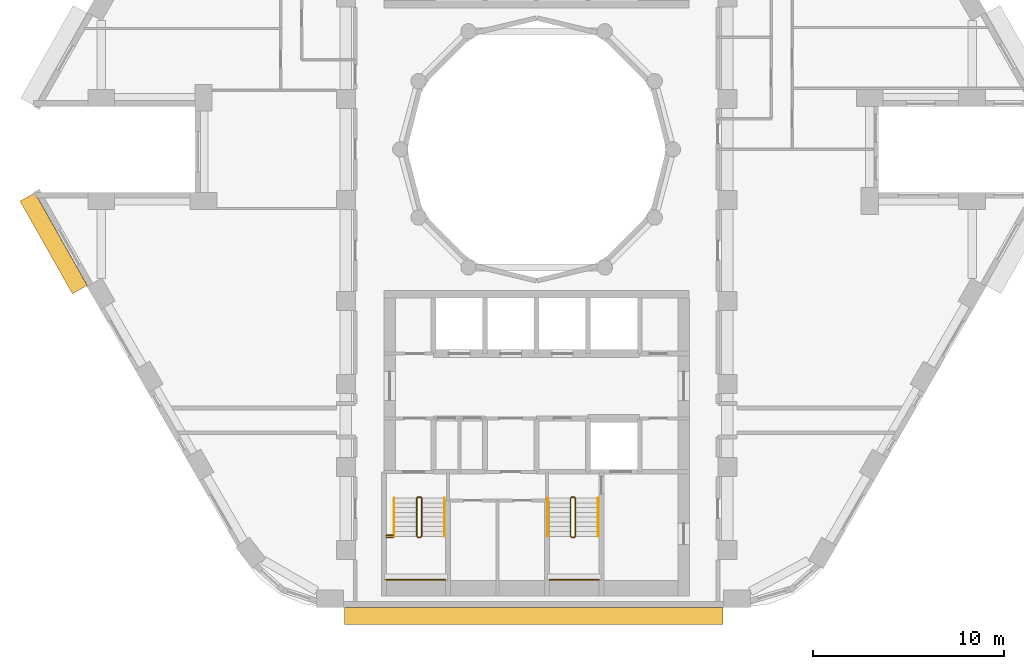
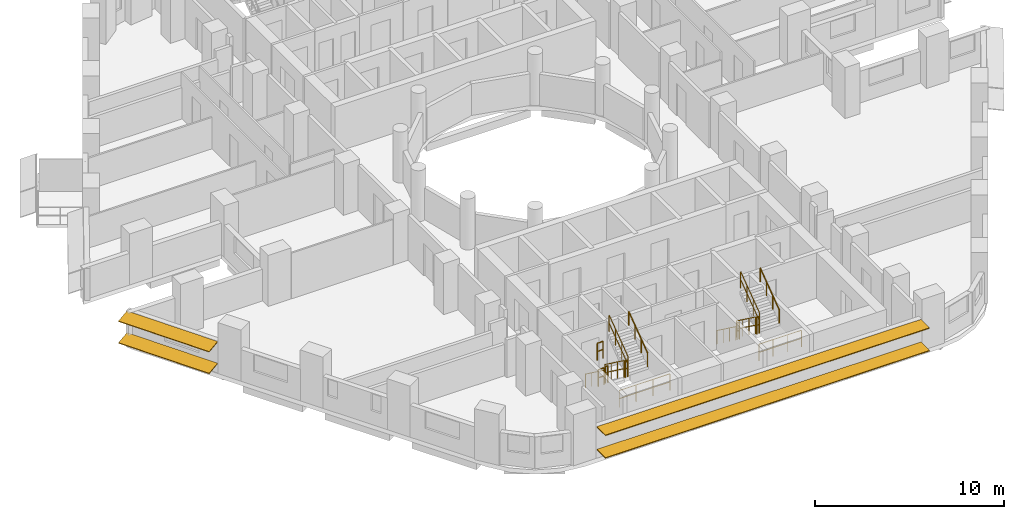
# One storey, part 12 of 14: 16 railings, 4 shading devices.
"""IFC4 building model written with IfcOpenShell, lengths in metres."""

from ifc_helpers import new_model, si_unit, direction, frame, origin, origin_2d, place, context, subcontext, project, spatial, rectangle, circle, extrude, material, material_profile, profile_set, type_object, element, save


model = new_model("IFC4")

# Units and contexts
model_context = context("Model", 3, precision=1e-05, world=origin(), true_north=direction((0.0, 1.0)))
body_context = subcontext(model_context, "Body", "Model", "MODEL_VIEW")
ifc_project = project(units=[si_unit("LENGTHUNIT", "METRE"), si_unit("AREAUNIT", "SQUARE_METRE"), si_unit("VOLUMEUNIT", "CUBIC_METRE"), si_unit("PLANEANGLEUNIT", "RADIAN"), si_unit("MASSUNIT", "GRAM", prefix="KILO")], contexts=[model_context])

# Site, building, storey
site_placement = place(None, origin())
site = spatial("IfcSite", under=ifc_project, at=site_placement, CompositionType="ELEMENT")
building_placement = place(site_placement, origin())
building = spatial("IfcBuilding", under=site, at=building_placement, Name="Nakaniwa Court", CompositionType="ELEMENT")
storey_placement = place(building_placement, frame((0.0, 0.0, 117.300048828125)))
storey = spatial("IfcBuildingStorey", under=building, at=storey_placement, Name="L31", CompositionType="ELEMENT", Elevation=117.300048828125)

# Shading devices
ifc_material_1 = material(Name="Perforated charcoal ceramic louvre blade")
ifc_material_profile = material_profile(ifc_material_1, rectangle(XDim=0.89990234375, YDim=0.050048828125, at=origin_2d()), Name="Perforated ceramic louvre blade")
ifc_profile_set = profile_set([ifc_material_profile], Name="Perforated charcoal ceramic louvre blade")
shading_device_type = type_object("IfcShadingDeviceType", Name="Perforated ceramic louvre blade", PredefinedType="JALOUSIE", material=ifc_profile_set)
for number, where, z_axis, x_axis, name in (
    (1, (53.31689453125, 77.508056640625, 0.550048828125), (0.492438058427, -0.870347493024, 0.0), (0.862701960504, 0.488112256124, 0.132256390257), "L31 perforated ceramic louvre blade w20 1"),
    (2, (53.31689453125, 77.508056640625, 1.95556640625), (0.492438058427, -0.870347493024, 0.0), (0.862701960504, 0.488112256124, 0.132256390257), "L31 perforated ceramic louvre blade w20 2"),
):
    element("IfcShadingDevice", number, at=place(storey_placement, frame(where, z_axis=z_axis, x_axis=x_axis)), inside=storey, type_object=shading_device_type, Name=name, PredefinedType="JALOUSIE", context=body_context, shape_type="SweptSolid", body=[
        extrude(rectangle(XDim=0.89990234375, YDim=0.050048828125, at=origin_2d()), origin(), (0.0, 0.0, 1.0), 5.576416015625),
    ])
for number, where, z_axis, x_axis, name in (
    (3, (69.92138671875, 55.550048828125, 0.550048828125), (1.0, 0.0, 0.0), (0.0, 1.0, 0.0), "L31 perforated ceramic louvre blade w26 1"),
    (4, (69.92138671875, 55.550048828125, 2.014892578125), (1.0, 0.0, 0.0), (0.0, 1.0, 0.0), "L31 perforated ceramic louvre blade w26 2"),
):
    element("IfcShadingDevice", number, at=place(storey_placement, frame(where, z_axis=z_axis, x_axis=x_axis)), inside=storey, type_object=shading_device_type, Name=name, PredefinedType="JALOUSIE", context=body_context, shape_type="SweptSolid", body=[
        extrude(rectangle(XDim=0.89990234375, YDim=0.050048828125, at=origin_2d()), origin(), (0.0, 0.0, 1.0), 19.839599609375),
    ])

# Railings
ifc_material_2 = material(Name="Black powder coated steel guard", Category="steel")
railing_type_1 = type_object("IfcRailingType", Name="Stair guard 1100", PredefinedType="GUARDRAIL", material=ifc_material_2)
railing_1_placement = place(storey_placement, frame((73.72509765625, 61.72509765625, 0.183349609375)))
element("IfcRailing", 5, at=railing_1_placement, inside=storey, type_object=railing_type_1, Name="L31 ST3 stair guard 1", PredefinedType="GUARDRAIL", context=body_context, shape_type="SweptSolid", body=[
    extrude(circle(Radius=0.02392578125, at=origin_2d()), frame((0.0, 0.0, 1.076171875), z_axis=(0.0, -0.806426902644, 0.591333789573), x_axis=(1.0, 0.0, 0.0)), (0.0, 0.0, 1.0), 2.47998046875),
    extrude(circle(Radius=0.02392578125, at=origin_2d()), frame((0.0, 0.0, 0.550048828125), z_axis=(0.0, -0.806426902644, 0.591333789573), x_axis=(1.0, 0.0, 0.0)), (0.0, 0.0, 1.0), 2.47998046875),
    extrude(circle(Radius=0.02099609375, at=origin_2d()), origin(), (0.0, 0.0, 1.0), 1.052001953125),
    extrude(circle(Radius=0.02099609375, at=origin_2d()), frame((0.0, -0.666748046875, 0.48876953125)), (0.0, 0.0, 1.0), 1.052001953125),
    extrude(circle(Radius=0.02099609375, at=origin_2d()), frame((0.0, -1.333251953125, 0.977783203125)), (0.0, 0.0, 1.0), 1.052001953125),
    extrude(circle(Radius=0.02099609375, at=origin_2d()), frame((0.0, -2.0, 1.466552734375)), (0.0, 0.0, 1.0), 1.052001953125),
])
railing_2_placement = place(storey_placement, frame((73.77490234375, 59.675048828125, 1.64990234375)))
element("IfcRailing", 6, at=railing_2_placement, inside=storey, type_object=railing_type_1, Name="L31 ST3 stair guard 2", PredefinedType="GUARDRAIL", context=body_context, shape_type="SweptSolid", body=[
    extrude(circle(Radius=0.02392578125, at=origin_2d()), frame((0.0, 0.0, 1.076171875), z_axis=(1.0, 0.0, 0.0), x_axis=(0.0, 1.0, 0.0)), (0.0, 0.0, 1.0), 0.150146484375),
    extrude(circle(Radius=0.02392578125, at=origin_2d()), frame((0.0, 0.0, 0.550048828125), z_axis=(1.0, 0.0, 0.0), x_axis=(0.0, 1.0, 0.0)), (0.0, 0.0, 1.0), 0.150146484375),
    extrude(circle(Radius=0.02099609375, at=origin_2d()), origin(), (0.0, 0.0, 1.0), 1.052001953125),
    extrude(circle(Radius=0.02099609375, at=origin_2d()), frame((0.150146484375, 0.0, 0.0)), (0.0, 0.0, 1.0), 1.052001953125),
])
railing_3_placement = place(storey_placement, frame((73.97509765625, 59.72509765625, 1.833251953125)))
element("IfcRailing", 7, at=railing_3_placement, inside=storey, type_object=railing_type_1, Name="L31 ST3 stair guard 3", PredefinedType="GUARDRAIL", context=body_context, shape_type="SweptSolid", body=[
    extrude(circle(Radius=0.02392578125, at=origin_2d()), frame((0.0, 0.0, 1.076171875), z_axis=(0.0, 0.806379959628, 0.591397802423), x_axis=(-1.0, 0.0, 0.0)), (0.0, 0.0, 1.0), 2.480224609375),
    extrude(circle(Radius=0.02392578125, at=origin_2d()), frame((0.0, 0.0, 0.550048828125), z_axis=(0.0, 0.806379959628, 0.591397802423), x_axis=(-1.0, 0.0, 0.0)), (0.0, 0.0, 1.0), 2.480224609375),
    extrude(circle(Radius=0.02099609375, at=origin_2d()), origin(), (0.0, 0.0, 1.0), 1.052001953125),
    extrude(circle(Radius=0.02099609375, at=origin_2d()), frame((0.0, 0.666748046875, 0.489013671875)), (0.0, 0.0, 1.0), 1.052001953125),
    extrude(circle(Radius=0.02099609375, at=origin_2d()), frame((0.0, 1.333251953125, 0.977783203125)), (0.0, 0.0, 1.0), 1.052001953125),
    extrude(circle(Radius=0.02099609375, at=origin_2d()), frame((0.0, 2.0, 1.466796875)), (0.0, 0.0, 1.0), 1.052001953125),
])
railing_4_placement = place(storey_placement, frame((73.77490234375, 61.77490234375, 0.0)))
element("IfcRailing", 8, at=railing_4_placement, inside=storey, type_object=railing_type_1, Name="L31 ST3 stair guard 4", PredefinedType="GUARDRAIL", context=body_context, shape_type="SweptSolid", body=[
    extrude(circle(Radius=0.02392578125, at=origin_2d()), frame((0.0, 0.0, 1.076171875), z_axis=(1.0, 0.0, 0.0), x_axis=(0.0, 1.0, 0.0)), (0.0, 0.0, 1.0), 0.150146484375),
    extrude(circle(Radius=0.02392578125, at=origin_2d()), frame((0.0, 0.0, 0.550048828125), z_axis=(1.0, 0.0, 0.0), x_axis=(0.0, 1.0, 0.0)), (0.0, 0.0, 1.0), 0.150146484375),
    extrude(circle(Radius=0.02099609375, at=origin_2d()), origin(), (0.0, 0.0, 1.0), 1.052001953125),
    extrude(circle(Radius=0.02099609375, at=origin_2d()), frame((0.150146484375, 0.0, 0.0)), (0.0, 0.0, 1.0), 1.052001953125),
])
railing_5_placement = place(storey_placement, frame((72.125, 57.449951171875, 1.64990234375)))
element("IfcRailing", 9, at=railing_5_placement, inside=storey, type_object=railing_type_1, Name="L31 ST3 landing end guard 1", PredefinedType="GUARDRAIL", context=body_context, shape_type="SweptSolid", body=[
    extrude(circle(Radius=0.02392578125, at=origin_2d()), frame((0.0, 0.0, 1.076171875), z_axis=(1.0, 0.0, 0.0), x_axis=(0.0, 1.0, 0.0)), (0.0, 0.0, 1.0), 3.10009765625),
    extrude(circle(Radius=0.02392578125, at=origin_2d()), frame((0.0, 0.0, 0.550048828125), z_axis=(1.0, 0.0, 0.0), x_axis=(0.0, 1.0, 0.0)), (0.0, 0.0, 1.0), 3.10009765625),
    extrude(circle(Radius=0.02099609375, at=origin_2d()), origin(), (0.0, 0.0, 1.0), 1.052001953125),
    extrude(circle(Radius=0.02099609375, at=origin_2d()), frame((1.033447265625, 0.0, 0.0)), (0.0, 0.0, 1.0), 1.052001953125),
    extrude(circle(Radius=0.02099609375, at=origin_2d()), frame((2.066650390625, 0.0, 0.0)), (0.0, 0.0, 1.0), 1.052001953125),
    extrude(circle(Radius=0.02099609375, at=origin_2d()), frame((3.10009765625, 0.0, 0.0)), (0.0, 0.0, 1.0), 1.052001953125),
])
for number, where, name in (
    (10, (72.125, 59.675048828125, 1.64990234375), "L31 ST3 landing side guard 1W"),
    (11, (72.125, 59.77490234375, 3.300048828125), "L31 ST3 floor edge guard 1W"),
):
    element("IfcRailing", number, at=place(storey_placement, frame(where)), inside=storey, type_object=railing_type_1, Name=name, PredefinedType="GUARDRAIL", context=body_context, shape_type="SweptSolid", body=[
        extrude(circle(Radius=0.02392578125, at=origin_2d()), frame((0.0, 0.0, 1.076171875), z_axis=(1.0, 0.0, 0.0), x_axis=(0.0, 1.0, 0.0)), (0.0, 0.0, 1.0), 0.35009765625),
        extrude(circle(Radius=0.02392578125, at=origin_2d()), frame((0.0, 0.0, 0.550048828125), z_axis=(1.0, 0.0, 0.0), x_axis=(0.0, 1.0, 0.0)), (0.0, 0.0, 1.0), 0.35009765625),
        extrude(circle(Radius=0.02099609375, at=origin_2d()), origin(), (0.0, 0.0, 1.0), 1.052001953125),
        extrude(circle(Radius=0.02099609375, at=origin_2d()), frame((0.35009765625, 0.0, 0.0)), (0.0, 0.0, 1.0), 1.052001953125),
    ])
railing_6_placement = place(storey_placement, frame((81.77490234375, 61.72509765625, 0.183349609375)))
element("IfcRailing", 12, at=railing_6_placement, inside=storey, type_object=railing_type_1, Name="L31 ST4 stair guard 1", PredefinedType="GUARDRAIL", context=body_context, shape_type="SweptSolid", body=[
    extrude(circle(Radius=0.02392578125, at=origin_2d()), frame((0.0, 0.0, 1.076171875), z_axis=(0.0, -0.806426902644, 0.591333789573), x_axis=(1.0, 0.0, 0.0)), (0.0, 0.0, 1.0), 2.47998046875),
    extrude(circle(Radius=0.02392578125, at=origin_2d()), frame((0.0, 0.0, 0.550048828125), z_axis=(0.0, -0.806426902644, 0.591333789573), x_axis=(1.0, 0.0, 0.0)), (0.0, 0.0, 1.0), 2.47998046875),
    extrude(circle(Radius=0.02099609375, at=origin_2d()), origin(), (0.0, 0.0, 1.0), 1.052001953125),
    extrude(circle(Radius=0.02099609375, at=origin_2d()), frame((0.0, -0.666748046875, 0.48876953125)), (0.0, 0.0, 1.0), 1.052001953125),
    extrude(circle(Radius=0.02099609375, at=origin_2d()), frame((0.0, -1.333251953125, 0.977783203125)), (0.0, 0.0, 1.0), 1.052001953125),
    extrude(circle(Radius=0.02099609375, at=origin_2d()), frame((0.0, -2.0, 1.466552734375)), (0.0, 0.0, 1.0), 1.052001953125),
])
railing_7_placement = place(storey_placement, frame((81.824951171875, 59.675048828125, 1.64990234375)))
element("IfcRailing", 13, at=railing_7_placement, inside=storey, type_object=railing_type_1, Name="L31 ST4 stair guard 2", PredefinedType="GUARDRAIL", context=body_context, shape_type="SweptSolid", body=[
    extrude(circle(Radius=0.02392578125, at=origin_2d()), frame((0.0, 0.0, 1.076171875), z_axis=(1.0, 0.0, 0.0), x_axis=(0.0, 1.0, 0.0)), (0.0, 0.0, 1.0), 0.150146484375),
    extrude(circle(Radius=0.02392578125, at=origin_2d()), frame((0.0, 0.0, 0.550048828125), z_axis=(1.0, 0.0, 0.0), x_axis=(0.0, 1.0, 0.0)), (0.0, 0.0, 1.0), 0.150146484375),
    extrude(circle(Radius=0.02099609375, at=origin_2d()), origin(), (0.0, 0.0, 1.0), 1.052001953125),
    extrude(circle(Radius=0.02099609375, at=origin_2d()), frame((0.150146484375, 0.0, 0.0)), (0.0, 0.0, 1.0), 1.052001953125),
])
railing_8_placement = place(storey_placement, frame((82.02490234375, 59.72509765625, 1.833251953125)))
element("IfcRailing", 14, at=railing_8_placement, inside=storey, type_object=railing_type_1, Name="L31 ST4 stair guard 3", PredefinedType="GUARDRAIL", context=body_context, shape_type="SweptSolid", body=[
    extrude(circle(Radius=0.02392578125, at=origin_2d()), frame((0.0, 0.0, 1.076171875), z_axis=(0.0, 0.806379959628, 0.591397802423), x_axis=(-1.0, 0.0, 0.0)), (0.0, 0.0, 1.0), 2.480224609375),
    extrude(circle(Radius=0.02392578125, at=origin_2d()), frame((0.0, 0.0, 0.550048828125), z_axis=(0.0, 0.806379959628, 0.591397802423), x_axis=(-1.0, 0.0, 0.0)), (0.0, 0.0, 1.0), 2.480224609375),
    extrude(circle(Radius=0.02099609375, at=origin_2d()), origin(), (0.0, 0.0, 1.0), 1.052001953125),
    extrude(circle(Radius=0.02099609375, at=origin_2d()), frame((0.0, 0.666748046875, 0.489013671875)), (0.0, 0.0, 1.0), 1.052001953125),
    extrude(circle(Radius=0.02099609375, at=origin_2d()), frame((0.0, 1.333251953125, 0.977783203125)), (0.0, 0.0, 1.0), 1.052001953125),
    extrude(circle(Radius=0.02099609375, at=origin_2d()), frame((0.0, 2.0, 1.466796875)), (0.0, 0.0, 1.0), 1.052001953125),
])
railing_9_placement = place(storey_placement, frame((81.824951171875, 61.77490234375, 0.0)))
element("IfcRailing", 15, at=railing_9_placement, inside=storey, type_object=railing_type_1, Name="L31 ST4 stair guard 4", PredefinedType="GUARDRAIL", context=body_context, shape_type="SweptSolid", body=[
    extrude(circle(Radius=0.02392578125, at=origin_2d()), frame((0.0, 0.0, 1.076171875), z_axis=(1.0, 0.0, 0.0), x_axis=(0.0, 1.0, 0.0)), (0.0, 0.0, 1.0), 0.150146484375),
    extrude(circle(Radius=0.02392578125, at=origin_2d()), frame((0.0, 0.0, 0.550048828125), z_axis=(1.0, 0.0, 0.0), x_axis=(0.0, 1.0, 0.0)), (0.0, 0.0, 1.0), 0.150146484375),
    extrude(circle(Radius=0.02099609375, at=origin_2d()), origin(), (0.0, 0.0, 1.0), 1.052001953125),
    extrude(circle(Radius=0.02099609375, at=origin_2d()), frame((0.150146484375, 0.0, 0.0)), (0.0, 0.0, 1.0), 1.052001953125),
])
railing_10_placement = place(storey_placement, frame((80.675048828125, 57.449951171875, 1.64990234375)))
element("IfcRailing", 16, at=railing_10_placement, inside=storey, type_object=railing_type_1, Name="L31 ST4 landing end guard 1", PredefinedType="GUARDRAIL", context=body_context, shape_type="SweptSolid", body=[
    extrude(circle(Radius=0.02392578125, at=origin_2d()), frame((0.0, 0.0, 1.076171875), z_axis=(1.0, 0.0, 0.0), x_axis=(0.0, 1.0, 0.0)), (0.0, 0.0, 1.0), 2.599853515625),
    extrude(circle(Radius=0.02392578125, at=origin_2d()), frame((0.0, 0.0, 0.550048828125), z_axis=(1.0, 0.0, 0.0), x_axis=(0.0, 1.0, 0.0)), (0.0, 0.0, 1.0), 2.599853515625),
    extrude(circle(Radius=0.02099609375, at=origin_2d()), origin(), (0.0, 0.0, 1.0), 1.052001953125),
    extrude(circle(Radius=0.02099609375, at=origin_2d()), frame((0.86669921875, 0.0, 0.0)), (0.0, 0.0, 1.0), 1.052001953125),
    extrude(circle(Radius=0.02099609375, at=origin_2d()), frame((1.733154296875, 0.0, 0.0)), (0.0, 0.0, 1.0), 1.052001953125),
    extrude(circle(Radius=0.02099609375, at=origin_2d()), frame((2.599853515625, 0.0, 0.0)), (0.0, 0.0, 1.0), 1.052001953125),
])
ifc_material_3 = material(Name="Black powder coated steel handrail", Category="steel")
railing_type_2 = type_object("IfcRailingType", Name="Stair handrail 900", PredefinedType="HANDRAIL", material=ifc_material_3)
railing_11_placement = place(storey_placement, frame((72.52490234375, 61.72509765625, 0.183349609375)))
element("IfcRailing", 17, at=railing_11_placement, inside=storey, type_object=railing_type_2, Name="L31 ST3 stair handrail 1", PredefinedType="HANDRAIL", context=body_context, shape_type="SweptSolid", body=[
    extrude(circle(Radius=0.02392578125, at=origin_2d()), frame((0.0, 0.0, 0.8759765625), z_axis=(0.0, -0.806426902644, 0.591333789573), x_axis=(1.0, 0.0, 0.0)), (0.0, 0.0, 1.0), 2.47998046875),
    extrude(circle(Radius=0.02099609375, at=origin_2d()), origin(), (0.0, 0.0, 1.0), 0.851806640625),
    extrude(circle(Radius=0.02099609375, at=origin_2d()), frame((0.0, -0.666748046875, 0.48876953125)), (0.0, 0.0, 1.0), 0.851806640625),
    extrude(circle(Radius=0.02099609375, at=origin_2d()), frame((0.0, -1.333251953125, 0.977783203125)), (0.0, 0.0, 1.0), 0.851806640625),
    extrude(circle(Radius=0.02099609375, at=origin_2d()), frame((0.0, -2.0, 1.466552734375)), (0.0, 0.0, 1.0), 0.851806640625),
])
railing_12_placement = place(storey_placement, frame((75.175048828125, 59.72509765625, 1.833251953125)))
element("IfcRailing", 18, at=railing_12_placement, inside=storey, type_object=railing_type_2, Name="L31 ST3 stair handrail 2", PredefinedType="HANDRAIL", context=body_context, shape_type="SweptSolid", body=[
    extrude(circle(Radius=0.02392578125, at=origin_2d()), frame((0.0, 0.0, 0.8759765625), z_axis=(0.0, 0.806379959628, 0.591397802423), x_axis=(-1.0, 0.0, 0.0)), (0.0, 0.0, 1.0), 2.480224609375),
    extrude(circle(Radius=0.02099609375, at=origin_2d()), origin(), (0.0, 0.0, 1.0), 0.851806640625),
    extrude(circle(Radius=0.02099609375, at=origin_2d()), frame((0.0, 0.666748046875, 0.489013671875)), (0.0, 0.0, 1.0), 0.851806640625),
    extrude(circle(Radius=0.02099609375, at=origin_2d()), frame((0.0, 1.333251953125, 0.977783203125)), (0.0, 0.0, 1.0), 0.851806640625),
    extrude(circle(Radius=0.02099609375, at=origin_2d()), frame((0.0, 2.0, 1.466796875)), (0.0, 0.0, 1.0), 0.851806640625),
])
railing_13_placement = place(storey_placement, frame((80.574951171875, 61.72509765625, 0.183349609375)))
element("IfcRailing", 19, at=railing_13_placement, inside=storey, type_object=railing_type_2, Name="L31 ST4 stair handrail 1", PredefinedType="HANDRAIL", context=body_context, shape_type="SweptSolid", body=[
    extrude(circle(Radius=0.02392578125, at=origin_2d()), frame((0.0, 0.0, 0.8759765625), z_axis=(0.0, -0.806426902644, 0.591333789573), x_axis=(1.0, 0.0, 0.0)), (0.0, 0.0, 1.0), 2.47998046875),
    extrude(circle(Radius=0.02099609375, at=origin_2d()), origin(), (0.0, 0.0, 1.0), 0.851806640625),
    extrude(circle(Radius=0.02099609375, at=origin_2d()), frame((0.0, -0.666748046875, 0.48876953125)), (0.0, 0.0, 1.0), 0.851806640625),
    extrude(circle(Radius=0.02099609375, at=origin_2d()), frame((0.0, -1.333251953125, 0.977783203125)), (0.0, 0.0, 1.0), 0.851806640625),
    extrude(circle(Radius=0.02099609375, at=origin_2d()), frame((0.0, -2.0, 1.466552734375)), (0.0, 0.0, 1.0), 0.851806640625),
])
railing_14_placement = place(storey_placement, frame((83.22509765625, 59.72509765625, 1.833251953125)))
element("IfcRailing", 20, at=railing_14_placement, inside=storey, type_object=railing_type_2, Name="L31 ST4 stair handrail 2", PredefinedType="HANDRAIL", context=body_context, shape_type="SweptSolid", body=[
    extrude(circle(Radius=0.02392578125, at=origin_2d()), frame((0.0, 0.0, 0.8759765625), z_axis=(0.0, 0.806379959628, 0.591397802423), x_axis=(-1.0, 0.0, 0.0)), (0.0, 0.0, 1.0), 2.480224609375),
    extrude(circle(Radius=0.02099609375, at=origin_2d()), origin(), (0.0, 0.0, 1.0), 0.851806640625),
    extrude(circle(Radius=0.02099609375, at=origin_2d()), frame((0.0, 0.666748046875, 0.489013671875)), (0.0, 0.0, 1.0), 0.851806640625),
    extrude(circle(Radius=0.02099609375, at=origin_2d()), frame((0.0, 1.333251953125, 0.977783203125)), (0.0, 0.0, 1.0), 0.851806640625),
    extrude(circle(Radius=0.02099609375, at=origin_2d()), frame((0.0, 2.0, 1.466796875)), (0.0, 0.0, 1.0), 0.851806640625),
])

save(model, "model.ifc")
